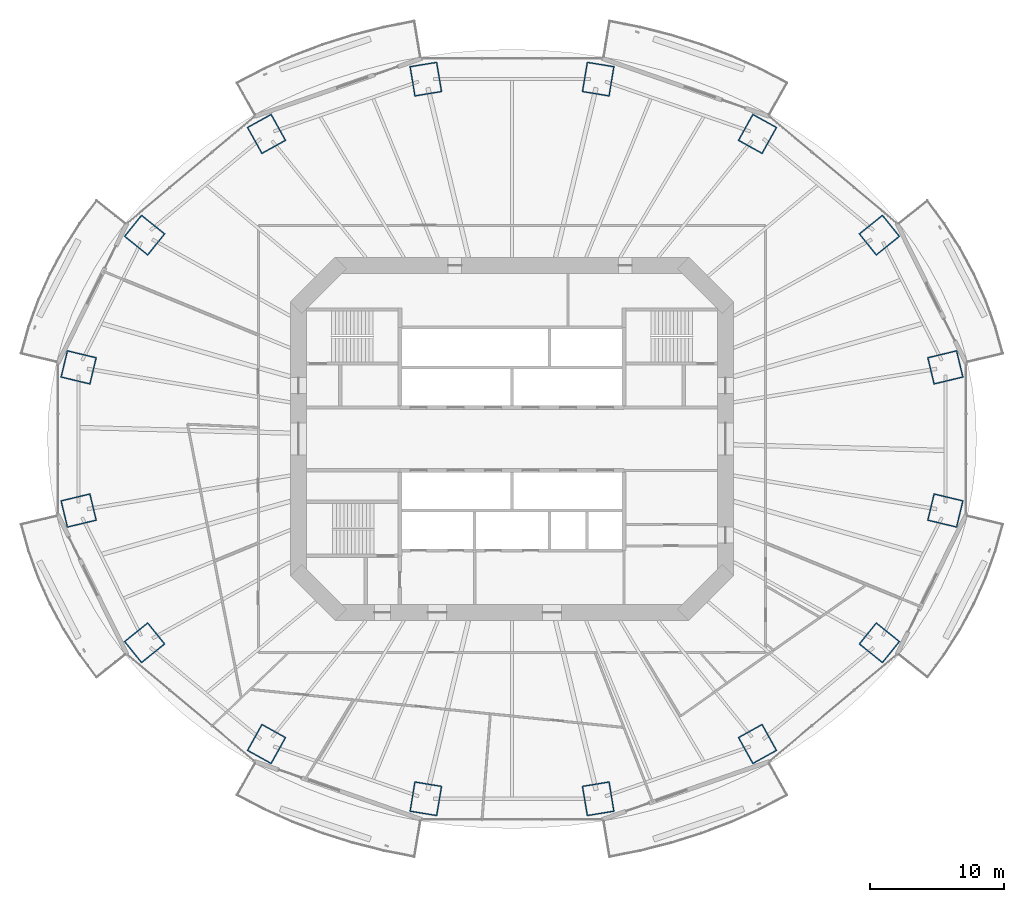
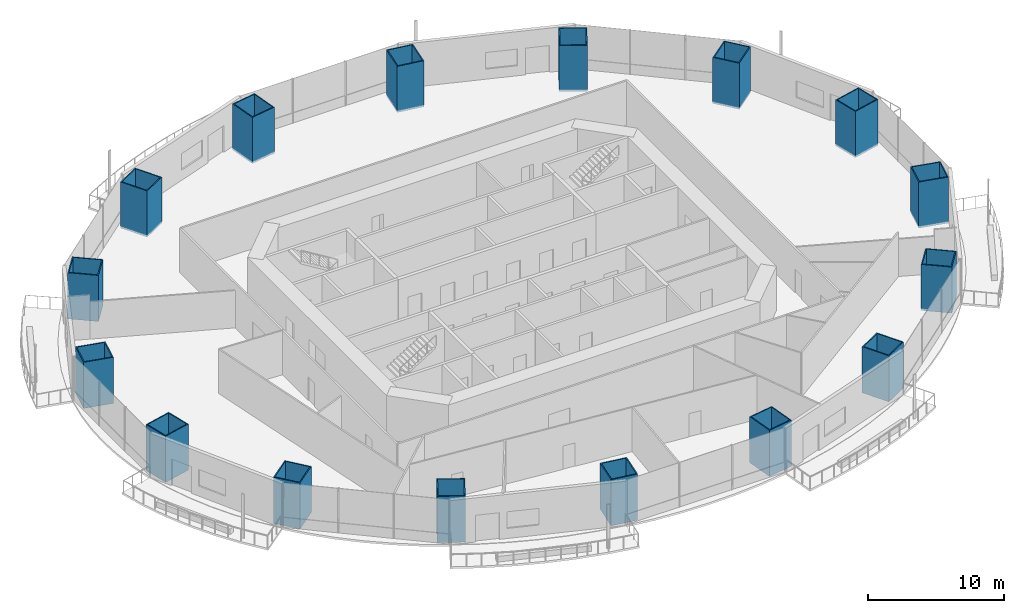
# One storey, part 1 of 22: 16 columns.
"""IFC4 building model written with IfcOpenShell, lengths in metres."""

from ifc_helpers import new_model, si_unit, direction, frame, origin, origin_2d, place, context, subcontext, project, spatial, rectangle, hollow_rectangle, extrude, material, material_profile, profile_set, type_object, element, save


model = new_model("IFC4")

# Units and contexts
model_context = context("Model", 3, precision=1e-05, world=origin(), true_north=direction((0.0, 1.0)))
body_context = subcontext(model_context, "Body", "Model", "MODEL_VIEW")
ifc_project = project(units=[si_unit("LENGTHUNIT", "METRE"), si_unit("AREAUNIT", "SQUARE_METRE"), si_unit("VOLUMEUNIT", "CUBIC_METRE"), si_unit("PLANEANGLEUNIT", "RADIAN"), si_unit("MASSUNIT", "GRAM", prefix="KILO")], contexts=[model_context])

# Site, building, storey
site_placement = place(None, origin())
site = spatial("IfcSite", under=ifc_project, at=site_placement, CompositionType="ELEMENT")
building_placement = place(site_placement, origin())
building = spatial("IfcBuilding", under=site, at=building_placement, Name="Marenthal Gate Tower", CompositionType="ELEMENT")
storey_placement = place(building_placement, frame((0.0, 0.0, 99.39990234375)))
storey = spatial("IfcBuildingStorey", under=building, at=storey_placement, Name="L20", CompositionType="ELEMENT", Elevation=99.39990234375)

# Columns
ifc_material_1 = material(Name="Steel S460", Category="steel")
ifc_material_profile_1 = material_profile(ifc_material_1, hollow_rectangle(XDim=2.10009765625, YDim=2.300048828125, WallThickness=0.0849609375, at=origin_2d()), Name="CFT BOX 2300X2100X85")
ifc_material_2 = material(Name="Concrete 70 MPa", Category="concrete")
ifc_material_profile_2 = material_profile(ifc_material_2, rectangle(XDim=1.929931640625, YDim=2.1298828125, at=origin_2d()), Name="CFT BOX 2300X2100X85 INFILL")
ifc_profile_set = profile_set([ifc_material_profile_1, ifc_material_profile_2], Name="Steel S460 shell, Concrete 70 MPa infill")
column_type = type_object("IfcColumnType", Name="CFT BOX 2300X2100X85", PredefinedType="COLUMN", material=ifc_profile_set)
for number, where, z_axis, x_axis, name in (
    (1, (32.4521484375, 5.359619140625, -0.179931640625), (0.0, 0.0, 1.0), (0.23297354102, -0.972483073984, 0.0), "COL-L20-01"),
    (2, (27.51171875, 15.26318359375, -0.179931640625), (0.0, 0.0, 1.0), (0.626945161765, -0.779063389038, 0.0), "COL-L20-02"),
    (3, (18.3828125, 22.843017578125, -0.179931640625), (0.0, 0.0, 1.0), (0.87444195639, -0.485130152541, 0.0), "COL-L20-03"),
    (4, (6.455078125, 26.945068359375, -0.179931640625), (0.0, 0.0, 1.0), (0.986634517147, -0.162948855698, 0.0), "COL-L20-04"),
    (5, (-6.455078125, 26.945068359375, -0.179931640625), (0.0, 0.0, 1.0), (0.986634517147, 0.162948855698, 0.0), "COL-L20-05"),
    (6, (-18.3828125, 22.843017578125, -0.179931640625), (0.0, 0.0, 1.0), (0.87444195639, 0.485130152541, 0.0), "COL-L20-06"),
    (7, (-27.51171875, 15.26318359375, -0.179931640625), (0.0, 0.0, 1.0), (0.626945161765, 0.779063389038, 0.0), "COL-L20-07"),
    (8, (-32.4521484375, 5.359619140625, -0.179931640625), (0.0, 0.0, 1.0), (0.23297354102, 0.972483073984, 0.0), "COL-L20-08"),
    (9, (-32.4521484375, -5.359619140625, -0.179931640625), (0.0, 0.0, 1.0), (-0.23297354102, 0.972483073984, 0.0), "COL-L20-09"),
    (10, (-27.51171875, -15.26318359375, -0.179931640625), (0.0, 0.0, 1.0), (-0.626945161765, 0.779063389038, 0.0), "COL-L20-10"),
    (11, (-18.3828125, -22.843017578125, -0.179931640625), (0.0, 0.0, 1.0), (-0.87444195639, 0.485130152541, 0.0), "COL-L20-11"),
    (12, (-6.455078125, -26.945068359375, -0.179931640625), (0.0, 0.0, 1.0), (-0.986634517147, 0.162948855698, 0.0), "COL-L20-12"),
    (13, (6.455078125, -26.945068359375, -0.179931640625), (0.0, 0.0, 1.0), (-0.986634517147, -0.162948855698, 0.0), "COL-L20-13"),
    (14, (18.3828125, -22.843017578125, -0.179931640625), (0.0, 0.0, 1.0), (-0.87444195639, -0.485130152541, 0.0), "COL-L20-14"),
    (15, (27.51171875, -15.26318359375, -0.179931640625), (0.0, 0.0, 1.0), (-0.626945161765, -0.779063389038, 0.0), "COL-L20-15"),
    (16, (32.4521484375, -5.359619140625, -0.179931640625), (0.0, 0.0, 1.0), (-0.23297354102, -0.972483073984, 0.0), "COL-L20-16"),
):
    element("IfcColumn", number, at=place(storey_placement, frame(where, z_axis=z_axis, x_axis=x_axis)), inside=storey, type_object=column_type, Name=name, PredefinedType="COLUMN", context=body_context, shape_type="SweptSolid", body=[
        extrude(hollow_rectangle(XDim=2.10009765625, YDim=2.300048828125, WallThickness=0.0849609375, at=origin_2d()), origin(), (0.0, 0.0, 1.0), 4.150146484375),
    ])

save(model, "model.ifc")
